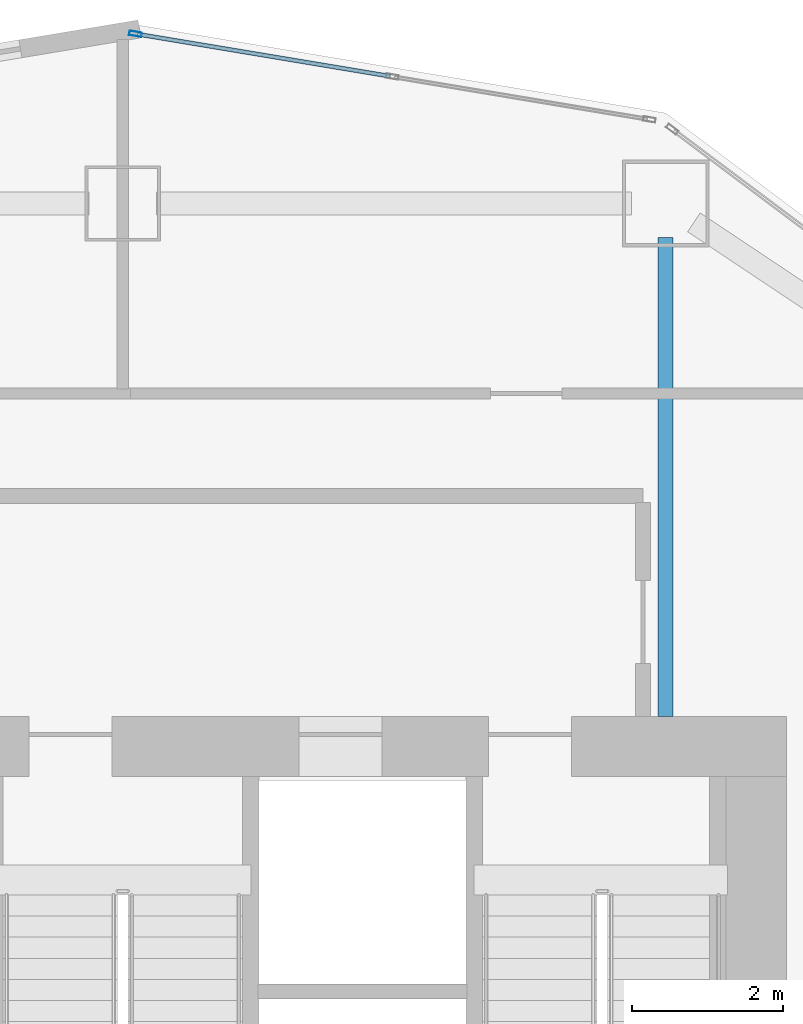
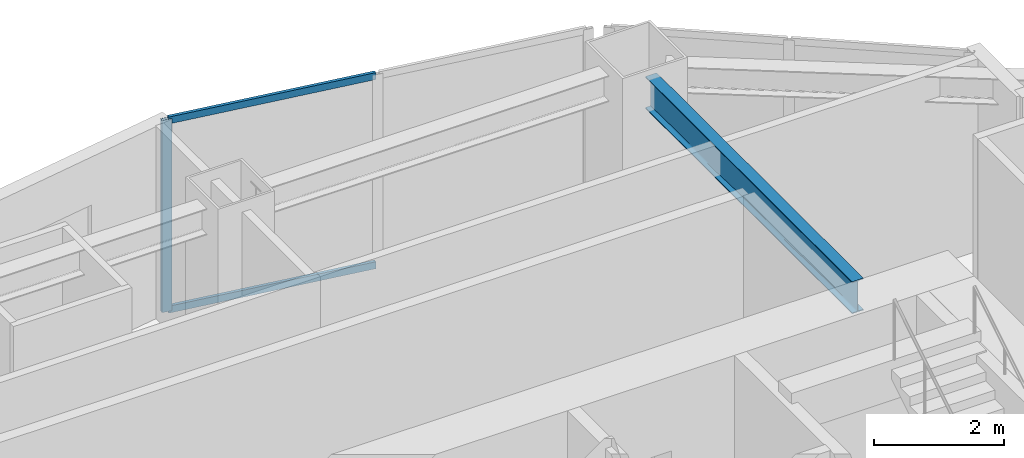
# One storey, part 2 of 16: 3 members, 1 beam, 1 element without a shape of its own.
"""IFC4 building model written with IfcOpenShell, lengths in metres."""

from ifc_helpers import new_model, si_unit, direction, frame, origin, origin_2d, place, context, subcontext, project, spatial, hollow_rectangle, i_section, extrude, material, layer, layer_set, material_profile, profile_set, type_object, element, aggregate, save


model = new_model("IFC4")

# Units and contexts
model_context = context("Model", 3, precision=1e-05, world=origin(), true_north=direction((0.0, 1.0)))
body_context = subcontext(model_context, "Body", "Model", "MODEL_VIEW")
ifc_project = project(units=[si_unit("LENGTHUNIT", "METRE"), si_unit("AREAUNIT", "SQUARE_METRE"), si_unit("VOLUMEUNIT", "CUBIC_METRE"), si_unit("PLANEANGLEUNIT", "RADIAN"), si_unit("MASSUNIT", "GRAM", prefix="KILO")], contexts=[model_context])

# Site, building, storey
site_placement = place(None, origin())
site = spatial("IfcSite", under=ifc_project, at=site_placement, CompositionType="ELEMENT")
building_placement = place(site_placement, origin())
building = spatial("IfcBuilding", under=site, at=building_placement, Name="Haolan Belvedere Tower", CompositionType="ELEMENT")
storey_placement = place(building_placement, frame((0.0, 0.0, 78.0)))
storey = spatial("IfcBuildingStorey", under=building, at=storey_placement, Name="L19", CompositionType="ELEMENT", Elevation=78.0)

# Beam
ifc_material_1 = material(Name="Steel Q355B", Category="steel")
ifc_material_profile_1 = material_profile(ifc_material_1, i_section(OverallWidth=0.199951171875, OverallDepth=0.60009765625, WebThickness=0.010986328125, FlangeThickness=0.01708984375, FilletRadius=0.02197265625, at=origin_2d()), Name="Steel Q355B")
ifc_profile_set_1 = profile_set([ifc_material_profile_1], Name="Steel Q355B")
beam_type = type_object("IfcBeamType", Name="BM-HN600x200x11x17", PredefinedType="BEAM", material=ifc_profile_set_1)
beam_placement = place(storey_placement, frame((45.60009765625, 49.949951171875, 3.300048828125), z_axis=(0.0, -1.0, 0.0), x_axis=(1.0, 0.0, 0.0)))
element("IfcBeam", 1, at=beam_placement, inside=storey, type_object=beam_type, Name="L19 core tie beam from MC-T3-N2", PredefinedType="BEAM", context=body_context, shape_type="SweptSolid", body=[
    extrude(i_section(OverallWidth=0.199951171875, OverallDepth=0.60009765625, WebThickness=0.010986328125, FlangeThickness=0.01708984375, FilletRadius=0.02197265625, at=origin_2d()), origin(), (0.0, 0.0, 1.0), 6.349853515625),
])

# Curtain wall, members
ifc_material_2 = material(Name="Anodised champagne-silver aluminium 6063-T6 and Low-E glass", Category="aluminium")
ifc_layer = layer(ifc_material_2, 0.1650390625, Name="Anodised champagne-silver aluminium 6063-T6 and Low-E glass")
ifc_layer_set = layer_set([ifc_layer], Name="Anodised champagne-silver aluminium 6063-T6 and Low-E glass")
curtain_wall_type = type_object("IfcCurtainWallType", Name="CW-SYS-02", PredefinedType="NOTDEFINED", material=ifc_layer_set)
curtain_wall_placement = place(storey_placement, origin())
curtain_wall = element("IfcCurtainWall", 2, at=curtain_wall_placement, inside=storey, type_object=curtain_wall_type, Name="L19 CW-SYS-02 ribbon curtain wall 42.1", PredefinedType="NOTDEFINED")
ifc_material_3 = material(Name="Anodised aluminium 6063-T6", Category="aluminium")
ifc_material_profile_2 = material_profile(ifc_material_3, hollow_rectangle(XDim=0.06005859375, YDim=0.1650390625, WallThickness=0.00390625, at=origin_2d()), Name="Anodised aluminium 6063-T6")
ifc_profile_set_2 = profile_set([ifc_material_profile_2], Name="Anodised aluminium 6063-T6")
member_type_1 = type_object("IfcMemberType", Name="CW-SYS-02-MUL", PredefinedType="MULLION", material=ifc_profile_set_2)
member_1_placement = place(storey_placement, frame((38.567626953125, 52.650390625, 0.0), z_axis=(0.0, 0.0, 1.0), x_axis=(-0.16440364043, -0.9863931483, 0.0)))
member_1 = element("IfcMember", 3, at=member_1_placement, type_object=member_type_1, Name="CW-02 mullion 3", PredefinedType="MULLION", context=body_context, shape_type="SweptSolid", body=[
    extrude(hollow_rectangle(XDim=0.06005859375, YDim=0.1650390625, WallThickness=0.00390625, at=origin_2d()), origin(), (0.0, 0.0, 1.0), 3.60009765625),
])
ifc_material_profile_3 = material_profile(ifc_material_3, hollow_rectangle(XDim=0.054931640625, YDim=0.1298828125, WallThickness=0.00390625, at=origin_2d()), Name="Anodised aluminium 6063-T6")
ifc_profile_set_3 = profile_set([ifc_material_profile_3], Name="Anodised aluminium 6063-T6")
member_type_2 = type_object("IfcMemberType", Name="CW-SYS-02-TRN", PredefinedType="USERDEFINED", material=ifc_profile_set_3)
member_2_placement = place(storey_placement, frame((41.946044921875, 52.08740234375, 0.027587890625), z_axis=(-0.986395867289, 0.164387326137, 0.0), x_axis=(-0.164387326137, -0.986395867289, 0.0)))
member_2 = element("IfcMember", 4, at=member_2_placement, type_object=member_type_2, Name="CW-02 transom 2.1", ObjectType="TRANSOM", PredefinedType="USERDEFINED", context=body_context, shape_type="SweptSolid", body=[
    extrude(hollow_rectangle(XDim=0.054931640625, YDim=0.1298828125, WallThickness=0.00390625, at=origin_2d()), origin(), (0.0, 0.0, 1.0), 3.39501953125),
])
member_3_placement = place(storey_placement, frame((41.946044921875, 52.08740234375, 3.572509765625), z_axis=(-0.986395867289, 0.164387326137, 0.0), x_axis=(-0.164387326137, -0.986395867289, 0.0)))
member_3 = element("IfcMember", 5, at=member_3_placement, type_object=member_type_2, Name="CW-02 transom 2.2", ObjectType="TRANSOM", PredefinedType="USERDEFINED", context=body_context, shape_type="SweptSolid", body=[
    extrude(hollow_rectangle(XDim=0.054931640625, YDim=0.1298828125, WallThickness=0.00390625, at=origin_2d()), origin(), (0.0, 0.0, 1.0), 3.39501953125),
])
aggregate(curtain_wall, [member_1, member_2, member_3])

save(model, "model.ifc")
